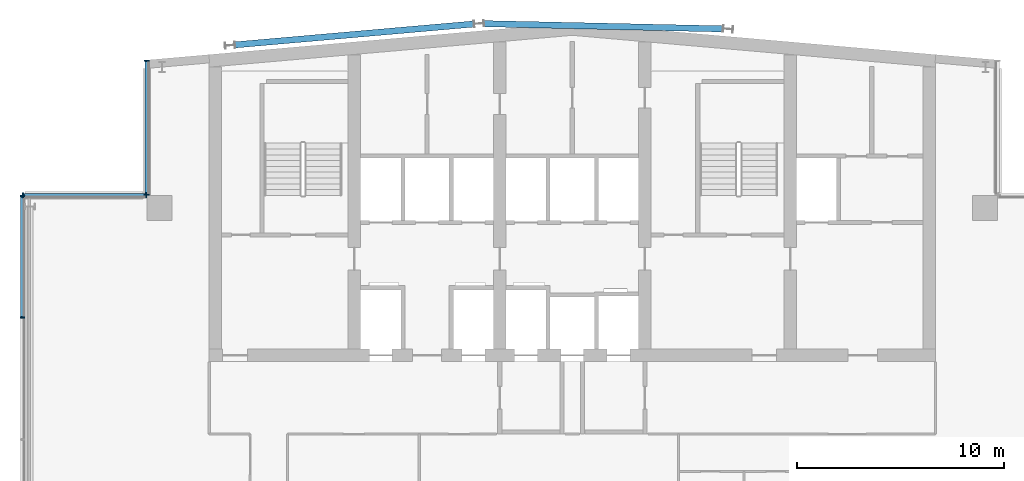
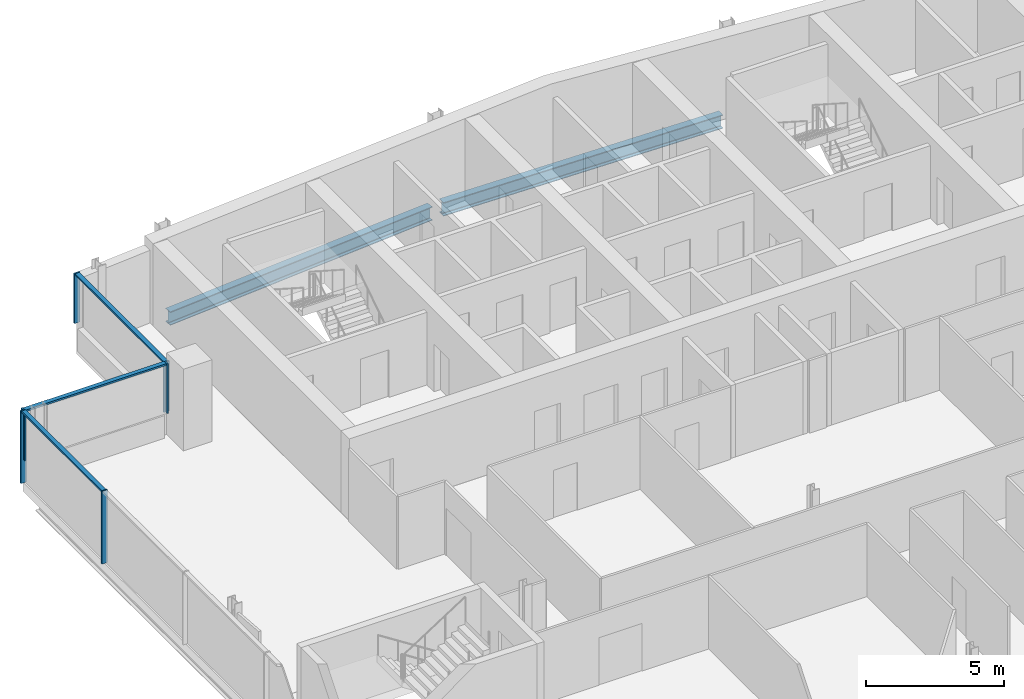
# One storey, part 9 of 22: 9 members, 2 beams, 3 elements without a shape of their own.
"""IFC4 building model written with IfcOpenShell, lengths in metres."""

from ifc_helpers import new_model, si_unit, direction, frame, origin, origin_2d, place, context, subcontext, project, spatial, rectangle, i_section, extrude, material, material_profile, profile_set, type_object, element, aggregate, save


model = new_model("IFC4")

# Units and contexts
model_context = context("Model", 3, precision=1e-05, world=origin(), true_north=direction((0.0, 1.0)))
body_context = subcontext(model_context, "Body", "Model", "MODEL_VIEW")
ifc_project = project(units=[si_unit("LENGTHUNIT", "METRE"), si_unit("AREAUNIT", "SQUARE_METRE"), si_unit("VOLUMEUNIT", "CUBIC_METRE"), si_unit("PLANEANGLEUNIT", "RADIAN"), si_unit("MASSUNIT", "GRAM", prefix="KILO")], contexts=[model_context])

# Site, building, storey
site_placement = place(None, origin())
site = spatial("IfcSite", under=ifc_project, at=site_placement, CompositionType="ELEMENT")
building_placement = place(site_placement, origin())
building = spatial("IfcBuilding", under=site, at=building_placement, Name="Wharfspan Tower", CompositionType="ELEMENT")
storey_placement = place(building_placement, frame((0.0, 0.0, 246.699951)))
storey = spatial("IfcBuildingStorey", under=building, at=storey_placement, Name="L62", CompositionType="ELEMENT", Elevation=246.699951)

# Beams
ifc_material_1 = material(Name="Steel S355J2", Category="steel")
ifc_material_profile_1 = material_profile(ifc_material_1, i_section(OverallWidth=0.300049, OverallDepth=0.600098, WebThickness=0.015381, FlangeThickness=0.030029, FilletRadius=0.0271, at=origin_2d()))
ifc_profile_set_1 = profile_set([ifc_material_profile_1], Name="Steel S355J2")
beam_type = type_object("IfcBeamType", Name="Edge beam HEB 600", PredefinedType="SPANDREL", material=ifc_profile_set_1)
beam_1_placement = place(storey_placement, frame((35.754883, 50.263428, -0.699951), z_axis=(-0.996194, -0.087165, 0.0), x_axis=(0.087165, -0.996194, 0.0)))
element("IfcBeam", 1, at=beam_1_placement, inside=storey, type_object=beam_type, Name="Edge beam N1 L62 R.2 to R.1", PredefinedType="SPANDREL", context=body_context, shape_type="SweptSolid", body=[
    extrude(i_section(OverallWidth=0.300049, OverallDepth=0.600098, WebThickness=0.015381, FlangeThickness=0.030029, FilletRadius=0.0271, at=origin_2d()), origin(), (0.0, 0.0, 1.0), 11.553711),
])
beam_2_placement = place(storey_placement, frame((36.247559, 50.279297, -0.699951), z_axis=(0.999761, -0.021871, 0.0), x_axis=(0.021871, 0.999761, 0.0)))
element("IfcBeam", 2, at=beam_2_placement, inside=storey, type_object=beam_type, Name="Edge beam L62 R.2 to R.3", PredefinedType="SPANDREL", context=body_context, shape_type="SweptSolid", body=[
    extrude(i_section(OverallWidth=0.300049, OverallDepth=0.600098, WebThickness=0.015381, FlangeThickness=0.030029, FilletRadius=0.0271, at=origin_2d()), origin(), (0.0, 0.0, 1.0), 11.508545),
])

# Curtain wall, members
ifc_material_2 = material(Name="Aluminium 6063-T6", Category="aluminium")
curtain_wall_type = type_object("IfcCurtainWallType", Name="CURTAIN WALL PROW AND END", PredefinedType="NOTDEFINED", material=ifc_material_2)
curtain_wall_1_placement = place(storey_placement, origin())
curtain_wall_1 = element("IfcCurtainWall", 3, at=curtain_wall_1_placement, inside=storey, type_object=curtain_wall_type, Name="Curtain wall NRW-V", PredefinedType="NOTDEFINED")
ifc_material_profile_2 = material_profile(ifc_material_2, rectangle(XDim=0.23999, YDim=0.060059, at=origin_2d()))
ifc_profile_set_2 = profile_set([ifc_material_profile_2], Name="Aluminium 6063-T6")
member_type_1 = type_object("IfcMemberType", Name="MULLION PROW AND END 60x240", PredefinedType="MULLION", material=ifc_profile_set_2)
member_1_placement = place(storey_placement, frame((20.0, 48.494873, 1.0), z_axis=(0.0, 0.0, 1.0), x_axis=(1.0, 0.0, 0.0)))
member_1 = element("IfcMember", 4, at=member_1_placement, type_object=member_type_1, Name="Curtain wall NRW-V mullion 1", PredefinedType="MULLION", context=body_context, shape_type="SweptSolid", body=[
    extrude(rectangle(XDim=0.23999, YDim=0.060059, at=origin_2d()), origin(), (0.0, 0.0, 1.0), 2.199951),
])
member_2_placement = place(storey_placement, frame((20.0, 42.030029, 1.0), z_axis=(0.0, 0.0, 1.0), x_axis=(1.0, 0.0, 0.0)))
member_2 = element("IfcMember", 5, at=member_2_placement, type_object=member_type_1, Name="Curtain wall NRW-V mullion 2", PredefinedType="MULLION", context=body_context, shape_type="SweptSolid", body=[
    extrude(rectangle(XDim=0.23999, YDim=0.060059, at=origin_2d()), origin(), (0.0, 0.0, 1.0), 2.199951),
])

curtain_wall_2_placement = place(storey_placement, origin())
curtain_wall_2 = element("IfcCurtainWall", 6, at=curtain_wall_2_placement, inside=storey, type_object=curtain_wall_type, Name="Curtain wall NRW-H", PredefinedType="NOTDEFINED")
member_3_placement = place(storey_placement, frame((19.969971, 42.0, 1.0), z_axis=(0.0, 0.0, 1.0), x_axis=(0.0, -1.0, 0.0)))
member_3 = element("IfcMember", 7, at=member_3_placement, type_object=member_type_1, Name="Curtain wall NRW-H mullion 1", PredefinedType="MULLION", context=body_context, shape_type="SweptSolid", body=[
    extrude(rectangle(XDim=0.23999, YDim=0.060059, at=origin_2d()), origin(), (0.0, 0.0, 1.0), 2.199951),
])
member_4_placement = place(storey_placement, frame((14.030029, 42.0, 1.0), z_axis=(0.0, 0.0, 1.0), x_axis=(0.0, -1.0, 0.0)))
member_4 = element("IfcMember", 8, at=member_4_placement, type_object=member_type_1, Name="Curtain wall NRW-H mullion 2", PredefinedType="MULLION", context=body_context, shape_type="SweptSolid", body=[
    extrude(rectangle(XDim=0.23999, YDim=0.060059, at=origin_2d()), origin(), (0.0, 0.0, 1.0), 2.199951),
])

curtain_wall_3_placement = place(storey_placement, origin())
curtain_wall_3 = element("IfcCurtainWall", 9, at=curtain_wall_3_placement, inside=storey, type_object=curtain_wall_type, Name="Curtain wall W", PredefinedType="NOTDEFINED")
member_5_placement = place(storey_placement, frame((14.0, 41.969971, 0.0), z_axis=(0.0, 0.0, 1.0), x_axis=(1.0, 0.0, 0.0)))
member_5 = element("IfcMember", 10, at=member_5_placement, type_object=member_type_1, Name="Curtain wall W mullion 1", PredefinedType="MULLION", context=body_context, shape_type="SweptSolid", body=[
    extrude(rectangle(XDim=0.23999, YDim=0.060059, at=origin_2d()), origin(), (0.0, 0.0, 1.0), 3.199951),
])
member_6_placement = place(storey_placement, frame((14.0, 36.120117, 0.0), z_axis=(0.0, 0.0, 1.0), x_axis=(1.0, 0.0, 0.0)))
member_6 = element("IfcMember", 11, at=member_6_placement, type_object=member_type_1, Name="Curtain wall W mullion 2", PredefinedType="MULLION", context=body_context, shape_type="SweptSolid", body=[
    extrude(rectangle(XDim=0.23999, YDim=0.060059, at=origin_2d()), origin(), (0.0, 0.0, 1.0), 3.199951),
])

# Member
ifc_material_profile_3 = material_profile(ifc_material_2, rectangle(XDim=0.179932, YDim=0.080078, at=origin_2d()))
ifc_profile_set_3 = profile_set([ifc_material_profile_3], Name="Aluminium 6063-T6")
member_type_2 = type_object("IfcMemberType", Name="TRANSOM PROW AND END 80x180", PredefinedType="USERDEFINED", material=ifc_profile_set_3)
member_7_placement = place(storey_placement, frame((20.0, 48.464844, 3.160156), z_axis=(0.0, -1.0, 0.0), x_axis=(1.0, 0.0, 0.0)))
member_7 = element("IfcMember", 12, at=member_7_placement, type_object=member_type_2, Name="Curtain wall NRW-V transom 1", ObjectType="TRANSOM", PredefinedType="USERDEFINED", context=body_context, shape_type="SweptSolid", body=[
    extrude(rectangle(XDim=0.179932, YDim=0.080078, at=origin_2d()), origin(), (0.0, 0.0, 1.0), 6.404785),
])

aggregate(curtain_wall_1, [member_1, member_2, member_7])

member_8_placement = place(storey_placement, frame((19.939941, 42.0, 3.160156), z_axis=(-1.0, 0.0, 0.0), x_axis=(0.0, -1.0, 0.0)))
member_8 = element("IfcMember", 13, at=member_8_placement, type_object=member_type_2, Name="Curtain wall NRW-H transom 1", ObjectType="TRANSOM", PredefinedType="USERDEFINED", context=body_context, shape_type="SweptSolid", body=[
    extrude(rectangle(XDim=0.179932, YDim=0.080078, at=origin_2d()), origin(), (0.0, 0.0, 1.0), 5.879883),
])

aggregate(curtain_wall_2, [member_3, member_4, member_8])

member_9_placement = place(storey_placement, frame((14.0, 41.939941, 3.160156), z_axis=(0.0, -1.0, 0.0), x_axis=(1.0, 0.0, 0.0)))
member_9 = element("IfcMember", 14, at=member_9_placement, type_object=member_type_2, Name="Curtain wall W transom 1", ObjectType="TRANSOM", PredefinedType="USERDEFINED", context=body_context, shape_type="SweptSolid", body=[
    extrude(rectangle(XDim=0.179932, YDim=0.080078, at=origin_2d()), origin(), (0.0, 0.0, 1.0), 5.790039),
])

aggregate(curtain_wall_3, [member_5, member_6, member_9])

save(model, "model.ifc")
